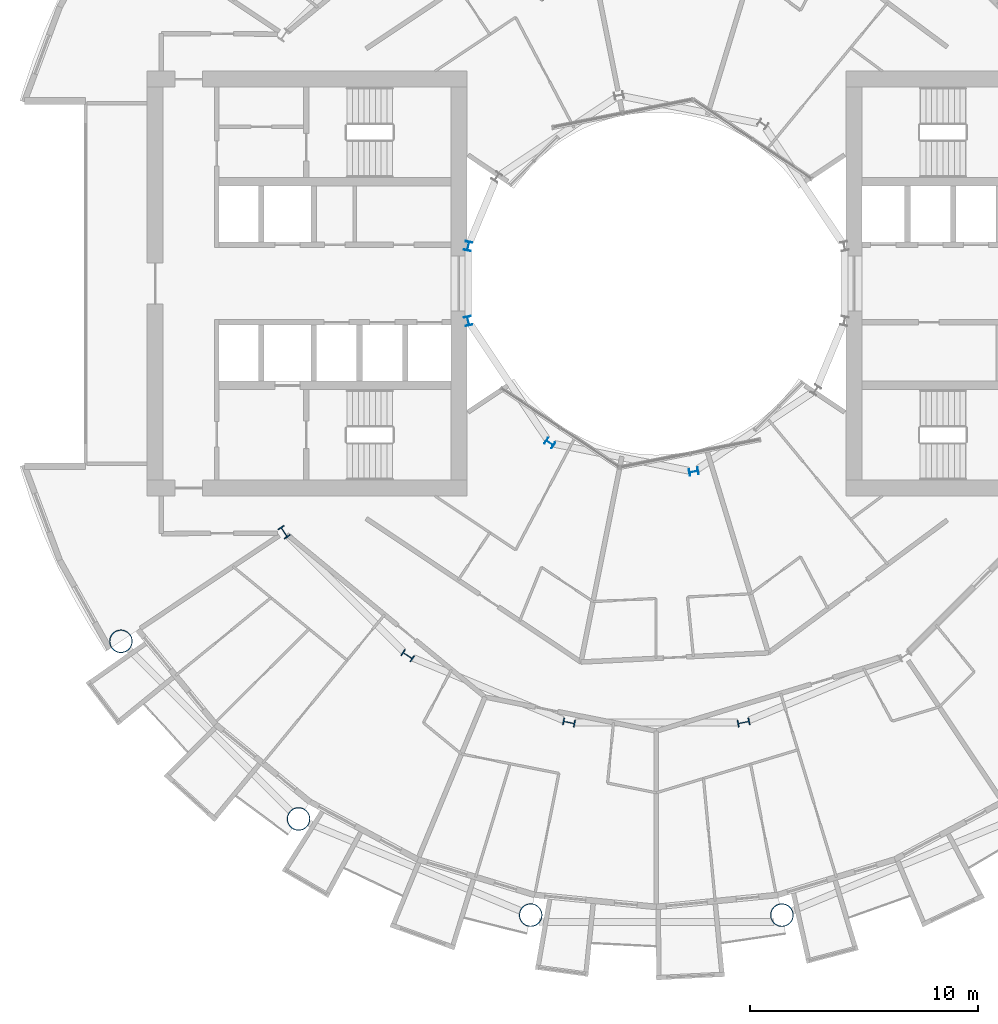
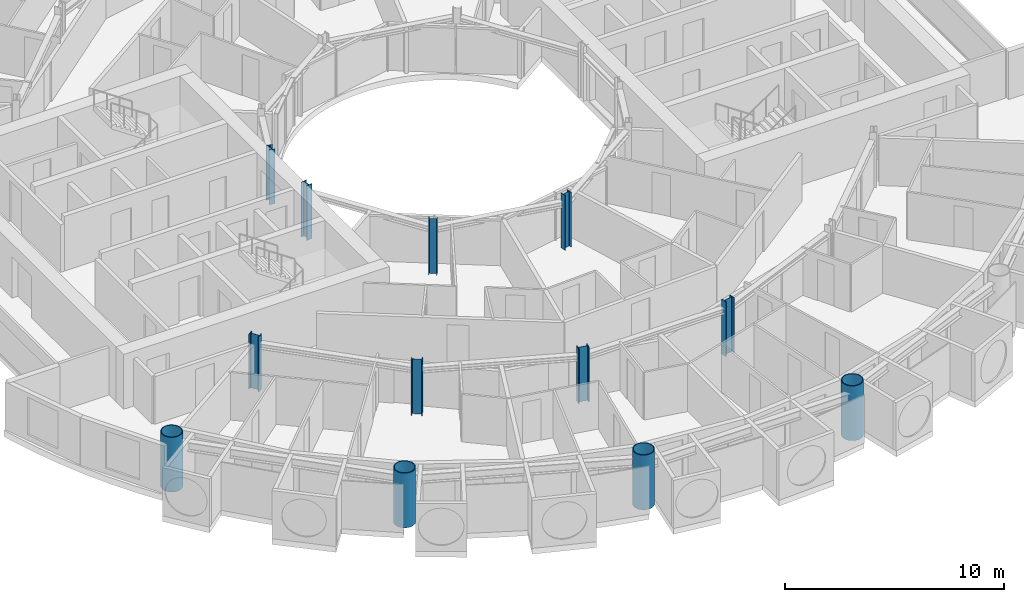
# One storey, part 1 of 25: 12 columns.
"""IFC4 building model written with IfcOpenShell, lengths in metres."""

from ifc_helpers import new_model, si_unit, direction, frame, origin, origin_2d, place, context, subcontext, project, spatial, hollow_circle, i_section, extrude, material, material_profile, profile_set, type_object, element, save


model = new_model("IFC4")

# Units and contexts
model_context = context("Model", 3, precision=1e-05, world=origin(), true_north=direction((0.0, 1.0)))
body_context = subcontext(model_context, "Body", "Model", "MODEL_VIEW")
ifc_project = project(units=[si_unit("LENGTHUNIT", "METRE"), si_unit("AREAUNIT", "SQUARE_METRE"), si_unit("VOLUMEUNIT", "CUBIC_METRE"), si_unit("PLANEANGLEUNIT", "RADIAN"), si_unit("MASSUNIT", "GRAM", prefix="KILO")], contexts=[model_context])

# Site, building, storey
site_placement = place(None, origin())
site = spatial("IfcSite", under=ifc_project, at=site_placement, CompositionType="ELEMENT")
building_placement = place(site_placement, origin())
building = spatial("IfcBuilding", under=site, at=building_placement, Name="Maasbend Ring Residences", CompositionType="ELEMENT")
storey_placement = place(building_placement, frame((0.0, 0.0, 94.10009765625)))
storey = spatial("IfcBuildingStorey", under=building, at=storey_placement, Name="L27", CompositionType="ELEMENT", Elevation=94.10009765625)

# Columns
ifc_material_1 = material(Name="Composite concrete-filled steel tube S460NH / C80/95", Category="concrete")
ifc_material_profile_1 = material_profile(ifc_material_1, hollow_circle(Radius=0.508056640625, WallThickness=0.0400390625, at=origin_2d()), Name="Composite tube column CHS 1016x40")
ifc_profile_set_1 = profile_set([ifc_material_profile_1], Name="Composite concrete-filled steel tube S460NH / C80/95")
column_type_1 = type_object("IfcColumnType", Name="Composite tube column CHS 1016x40", PredefinedType="COLUMN", material=ifc_profile_set_1)
for number, where, z_axis, x_axis, name in (
    (1, (-23.447509765625, -15.6669921875, 0.0), (0.0, 0.0, 1.0), (1.0, 0.0, 0.0), "Outer column R10"),
    (2, (-15.6669921875, -23.447509765625, 0.0), (0.0, 0.0, 1.0), (1.0, 0.0, 0.0), "Outer column R11"),
    (3, (-5.50146484375, -27.658203125, 0.0), (0.0, 0.0, 1.0), (1.0, 0.0, 0.0), "Outer column R12"),
    (4, (5.50146484375, -27.658203125, 0.0), (0.0, 0.0, 1.0), (1.0, 0.0, 0.0), "Outer column R13"),
):
    element("IfcColumn", number, at=place(storey_placement, frame(where, z_axis=z_axis, x_axis=x_axis)), inside=storey, type_object=column_type_1, Name=name, PredefinedType="COLUMN", context=body_context, shape_type="SweptSolid", body=[
        extrude(hollow_circle(Radius=0.508056640625, WallThickness=0.0400390625, at=origin_2d()), origin(), (0.0, 0.0, 1.0), 3.0498046875),
    ])
ifc_material_2 = material(Name="Steel S355J2", Category="steel")
ifc_material_profile_2 = material_profile(ifc_material_2, i_section(OverallWidth=0.300048828125, OverallDepth=0.39990234375, WebThickness=0.013427734375, FlangeThickness=0.02392578125, FilletRadius=0.027099609375, at=origin_2d()), Name="HEB 400")
ifc_profile_set_2 = profile_set([ifc_material_profile_2], Name="Steel S355J2")
column_type_2 = type_object("IfcColumnType", Name="Steel column HEB 400", PredefinedType="COLUMN", material=ifc_profile_set_2)
for number, where, z_axis, x_axis, name in (
    (5, (-8.238525390625, 1.638916015625, 0.0), (0.0, 0.0, 1.0), (-0.980785280403, 0.195090322016, 0.0), "Well ring column R8"),
    (6, (-8.238525390625, -1.638916015625, 0.0), (0.0, 0.0, 1.0), (-0.980785280403, -0.195090322016, 0.0), "Well ring column R9"),
    (7, (-4.666748046875, -6.984375, 0.0), (0.0, 0.0, 1.0), (-0.55557023302, -0.831469612303, 0.0), "Well ring column R11"),
    (8, (1.638916015625, -8.238525390625, 0.0), (0.0, 0.0, 1.0), (0.195090322016, -0.980785280403, 0.0), "Well ring column R13"),
):
    element("IfcColumn", number, at=place(storey_placement, frame(where, z_axis=z_axis, x_axis=x_axis)), inside=storey, type_object=column_type_2, Name=name, PredefinedType="COLUMN", context=body_context, shape_type="SweptSolid", body=[
        extrude(i_section(OverallWidth=0.300048828125, OverallDepth=0.39990234375, WebThickness=0.013427734375, FlangeThickness=0.02392578125, FilletRadius=0.027099609375, at=origin_2d()), origin(), (0.0, 0.0, 1.0), 3.0498046875),
    ])
ifc_material_3 = material(Name="Steel S460M", Category="steel")
ifc_material_profile_3 = material_profile(ifc_material_3, i_section(OverallWidth=0.305908203125, OverallDepth=0.52392578125, WebThickness=0.02099609375, FlangeThickness=0.0400390625, FilletRadius=0.027099609375, at=origin_2d()), Name="HEM 500")
ifc_profile_set_3 = profile_set([ifc_material_profile_3], Name="Steel S460M")
column_type_3 = type_object("IfcColumnType", Name="Steel column HEM 500", PredefinedType="COLUMN", material=ifc_profile_set_3)
for number, where, z_axis, x_axis, name in (
    (9, (-16.296875, -10.88916015625, 0.0), (0.0, 0.0, 1.0), (-0.831469612303, -0.55557023302, 0.0), "Corridor ring column R10"),
    (10, (-10.88916015625, -16.296875, 0.0), (0.0, 0.0, 1.0), (-0.55557023302, -0.831469612303, 0.0), "Corridor ring column R11"),
    (11, (-3.82373046875, -19.223388671875, 0.0), (0.0, 0.0, 1.0), (-0.195090322016, -0.980785280403, 0.0), "Corridor ring column R12"),
    (12, (3.82373046875, -19.223388671875, 0.0), (0.0, 0.0, 1.0), (0.195090322016, -0.980785280403, 0.0), "Corridor ring column R13"),
):
    element("IfcColumn", number, at=place(storey_placement, frame(where, z_axis=z_axis, x_axis=x_axis)), inside=storey, type_object=column_type_3, Name=name, PredefinedType="COLUMN", context=body_context, shape_type="SweptSolid", body=[
        extrude(i_section(OverallWidth=0.305908203125, OverallDepth=0.52392578125, WebThickness=0.02099609375, FlangeThickness=0.0400390625, FilletRadius=0.027099609375, at=origin_2d()), origin(), (0.0, 0.0, 1.0), 3.0498046875),
    ])

save(model, "model.ifc")
